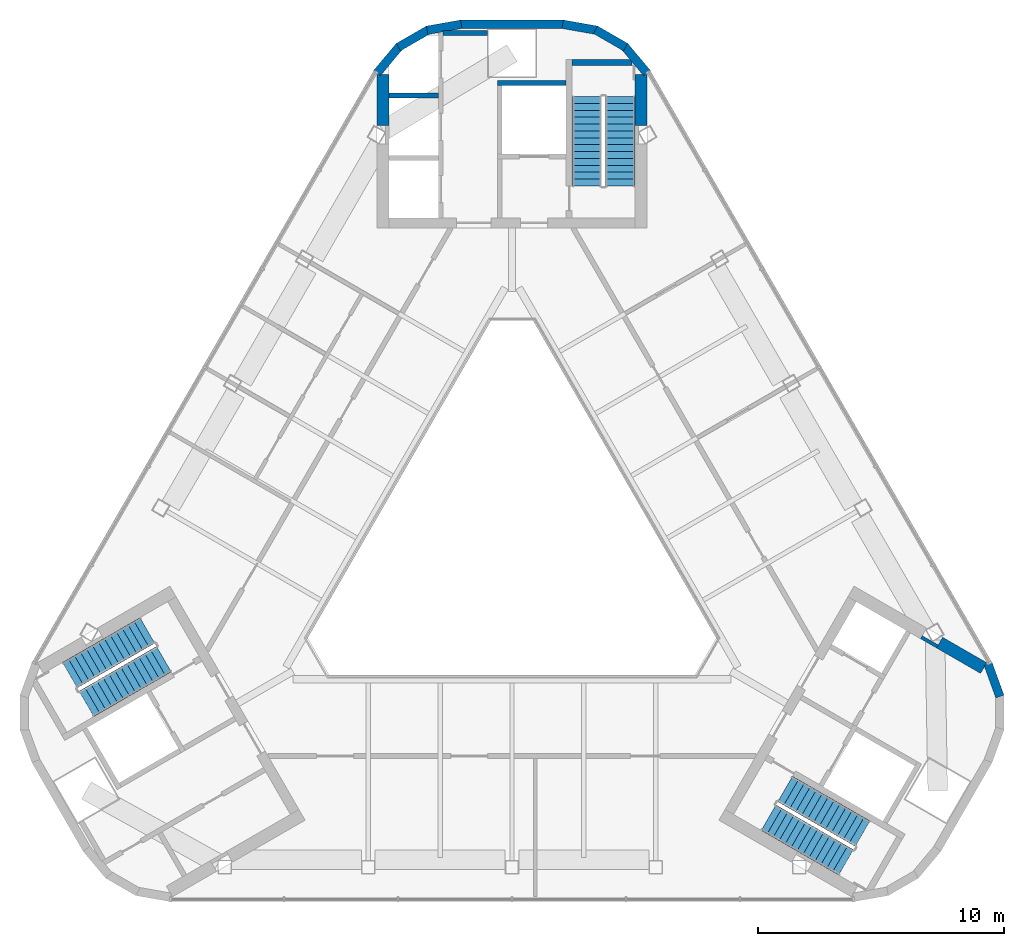
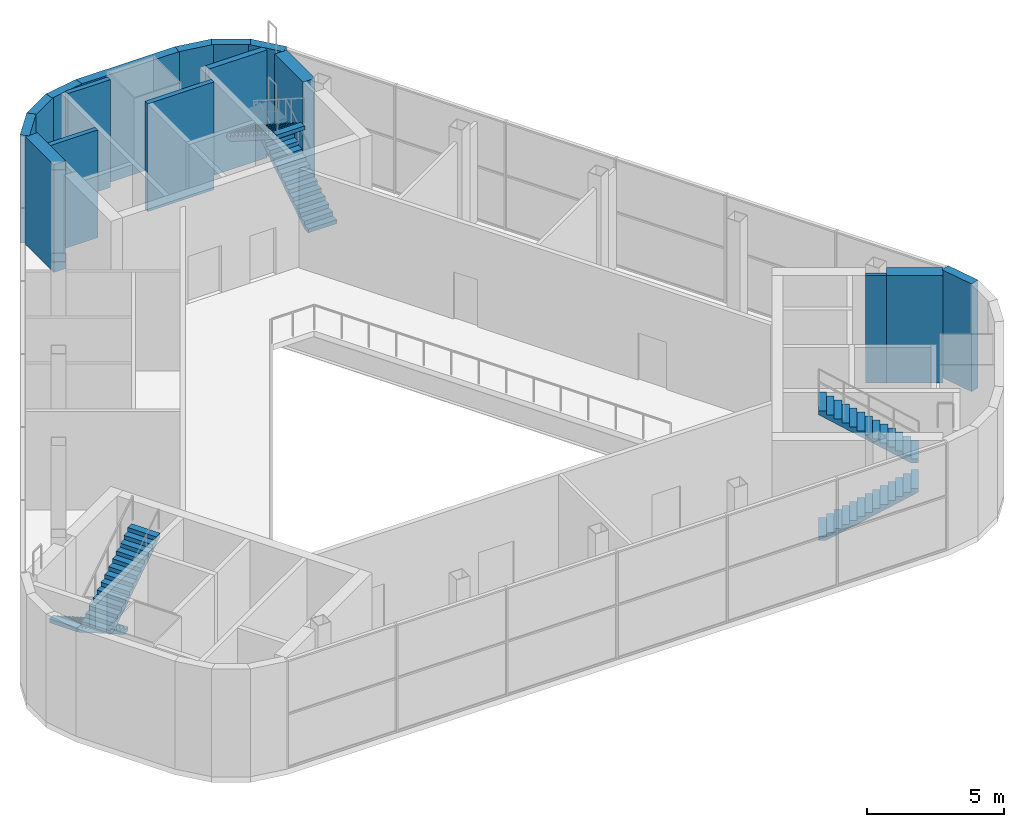
# One storey, part 8 of 11: 16 walls, 6 stair flights, 3 elements without a shape of their own.
"""IFC4 building model written with IfcOpenShell, lengths in metres."""

from ifc_helpers import new_model, si_unit, direction, frame, frame_2d, origin, place, context, subcontext, project, spatial, polyline, rectangle, outline, extrude, material, layer, layer_set, type_object, element, aggregate, save


model = new_model("IFC4")

# Units and contexts
model_context = context("Model", 3, precision=1e-05, world=origin(), true_north=direction((0.0, 1.0)))
body_context = subcontext(model_context, "Body", "Model", "MODEL_VIEW")
ifc_project = project(units=[si_unit("LENGTHUNIT", "METRE"), si_unit("AREAUNIT", "SQUARE_METRE"), si_unit("VOLUMEUNIT", "CUBIC_METRE"), si_unit("PLANEANGLEUNIT", "RADIAN"), si_unit("MASSUNIT", "GRAM", prefix="KILO")], contexts=[model_context])

# Site, building, storey
site_placement = place(None, origin())
site = spatial("IfcSite", under=ifc_project, at=site_placement, CompositionType="ELEMENT")
building_placement = place(site_placement, origin())
building = spatial("IfcBuilding", under=site, at=building_placement, Name="Apuvela Tower Hotel", CompositionType="ELEMENT")
storey_placement = place(building_placement, frame((0.0, 0.0, 338.300048828125)))
storey = spatial("IfcBuildingStorey", under=building, at=storey_placement, Name="L84", CompositionType="ELEMENT", Elevation=338.300048828125)

# Walls
ifc_material_1 = material(Name="Concrete C50/60", Category="concrete")
ifc_layer_1 = layer(ifc_material_1, 0.139892578125)
ifc_layer_set_1 = layer_set([ifc_layer_1], Name="COR-WALL-CORE-140")
wall_type_1 = type_object("IfcWallType", Name="COR-WALL-CORE-140", PredefinedType="SHEAR", material=ifc_layer_set_1)
wall_1_placement = place(storey_placement, frame((16.66259765625, -3.765869140625, 0.0), z_axis=(0.0, 0.0, 1.0), x_axis=(0.86603400694, -0.499985098601, 0.0)))
element("IfcWall", 1, at=wall_1_placement, inside=storey, type_object=wall_type_1, Name="Core wall SE", PredefinedType="SHEAR", context=body_context, shape_type="SweptSolid", body=[
    extrude(rectangle(XDim=0.7509765625, YDim=0.139892578125, at=frame_2d((0.37548828125, 0.0))), origin(), (0.0, 0.0, 1.0), 4.800048828125),
])
ifc_layer_2 = layer(ifc_material_1, 0.5)
ifc_layer_set_2 = layer_set([ifc_layer_2], Name="COR-WALL-CORE-500")
wall_type_2 = type_object("IfcWallType", Name="COR-WALL-CORE-500", PredefinedType="SHEAR", material=ifc_layer_set_2)
for number, where, z_axis, x_axis, name in (
    (2, (5.25, 17.064453125, 0.0), (0.0, 0.0, 1.0), (0.0, 1.0, 0.0), "Core wall N"),
    (3, (-5.25, 17.064453125, 0.0), (0.0, 0.0, 1.0), (0.0, 1.0, 0.0), "Core wall N"),
):
    element("IfcWall", number, at=place(storey_placement, frame(where, z_axis=z_axis, x_axis=x_axis)), inside=storey, type_object=wall_type_2, Name=name, PredefinedType="SHEAR", context=body_context, shape_type="SweptSolid", body=[
        extrude(rectangle(XDim=2.0712890625, YDim=0.5, at=frame_2d((1.03564453125, 0.0))), origin(), (0.0, 0.0, 1.0), 4.800048828125),
    ])
wall_2_placement = place(storey_placement, frame((17.403076171875, -3.985595703125, 0.0), z_axis=(0.0, 0.0, 1.0), x_axis=(0.866044274939, -0.499967312778, 0.0)))
element("IfcWall", 4, at=wall_2_placement, inside=storey, type_object=wall_type_2, Name="Core wall SE", PredefinedType="SHEAR", context=body_context, shape_type="SweptSolid", body=[
    extrude(rectangle(XDim=2.071533203125, YDim=0.5, at=frame_2d((1.03564453125, 0.0))), origin(), (0.0, 0.0, 1.0), 4.800048828125),
])
ifc_layer_3 = layer(ifc_material_1, 0.199951171875)
ifc_layer_set_3 = layer_set([ifc_layer_3], Name="COR-WALL-SHAFT-200")
wall_type_3 = type_object("IfcWallType", Name="COR-WALL-SHAFT-200", PredefinedType="SHEAR", material=ifc_layer_set_3)
wall_3_placement = place(storey_placement, frame((2.199951171875, 18.800048828125, 0.0), z_axis=(0.0, 0.0, 1.0), x_axis=(-1.0, 0.0, 0.0)))
element("IfcWall", 5, at=wall_3_placement, inside=storey, type_object=wall_type_3, Name="Shaft wall N", PredefinedType="SHEAR", context=body_context, shape_type="SweptSolid", body=[
    extrude(rectangle(XDim=2.800048828125, YDim=0.199951171875, at=frame_2d((1.39990234375, 0.0))), origin(), (0.0, 0.0, 1.0), 4.800048828125),
])
wall_4_placement = place(storey_placement, frame((-1.0, 20.820068359375, 0.0), z_axis=(0.0, 0.0, 1.0), x_axis=(-1.0, 0.0, 0.0)))
element("IfcWall", 6, at=wall_4_placement, inside=storey, type_object=wall_type_3, Name="Shaft wall N", PredefinedType="SHEAR", context=body_context, shape_type="SweptSolid", body=[
    extrude(rectangle(XDim=1.800048828125, YDim=0.199951171875, at=frame_2d((0.89990234375, 0.0))), origin(), (0.0, 0.0, 1.0), 4.800048828125),
])
wall_5_placement = place(storey_placement, frame((-3.0, 18.280029296875, 0.0), z_axis=(0.0, 0.0, 1.0), x_axis=(-1.0, 0.0, 0.0)))
element("IfcWall", 7, at=wall_5_placement, inside=storey, type_object=wall_type_3, Name="Shaft wall N", PredefinedType="SHEAR", context=body_context, shape_type="SweptSolid", body=[
    extrude(rectangle(XDim=2.0, YDim=0.199951171875, at=frame_2d((1.0, 0.0))), origin(), (0.0, 0.0, 1.0), 4.800048828125),
])
ifc_layer_4 = layer(ifc_material_1, 0.25)
ifc_layer_set_4 = layer_set([ifc_layer_4], Name="COR-WALL-STAIR-250")
wall_type_4 = type_object("IfcWallType", Name="COR-WALL-STAIR-250", PredefinedType="SHEAR", material=ifc_layer_set_4)
wall_6_placement = place(storey_placement, frame((4.8798828125, 19.625, 0.0), z_axis=(0.0, 0.0, 1.0), x_axis=(-1.0, 0.0, 0.0)))
element("IfcWall", 8, at=wall_6_placement, inside=storey, type_object=wall_type_4, Name="Stair wall N", PredefinedType="SHEAR", context=body_context, shape_type="SweptSolid", body=[
    extrude(rectangle(XDim=2.429931640625, YDim=0.25, at=frame_2d((1.21484375, 0.0))), origin(), (0.0, 0.0, 1.0), 4.800048828125),
])
ifc_material_2 = material(Name="Concrete C40/50, dark pigmented precast panel", Category="concrete")
ifc_layer_5 = layer(ifc_material_2, 0.35009765625)
ifc_layer_set_5 = layer_set([ifc_layer_5], Name="ENV-WALL-350")
wall_type_5 = type_object("IfcWallType", Name="ENV-WALL-350", PredefinedType="SOLIDWALL", material=ifc_layer_set_5)
for number, where, z_axis, x_axis, name in (
    (9, (4.6220703125, 20.252685546875, 0.0), (0.0, 0.0, 1.0), (-0.866013007135, 0.500021471012, 0.0), "External wall L84-01"),
    (10, (3.455078125, 20.938720703125, 0.0), (0.0, 0.0, 1.0), (-0.984820050623, 0.173578420006, 0.0), "External wall L84-02"),
):
    element("IfcWall", number, at=place(storey_placement, frame(where, z_axis=z_axis, x_axis=x_axis)), inside=storey, type_object=wall_type_5, Name=name, PredefinedType="SOLIDWALL", context=body_context, shape_type="SweptSolid", body=[
        extrude(rectangle(XDim=1.41357421875, YDim=0.35009765625, at=frame_2d((0.706787109375, 0.0))), origin(), (0.0, 0.0, 1.0), 4.800048828125),
    ])
wall_7_placement = place(storey_placement, frame((2.093505859375, 21.181396484375, 0.0), z_axis=(0.0, 0.0, 1.0), x_axis=(-1.0, 0.0, 0.0)))
element("IfcWall", 11, at=wall_7_placement, inside=storey, type_object=wall_type_5, Name="External wall L84-03", PredefinedType="SOLIDWALL", context=body_context, shape_type="SweptSolid", body=[
    extrude(rectangle(XDim=4.18701171875, YDim=0.35009765625, at=frame_2d((2.093505859375, 0.0))), origin(), (0.0, 0.0, 1.0), 4.800048828125),
])
for number, where, z_axis, x_axis, name in (
    (12, (-2.06298828125, 21.18408203125, 0.0), (0.0, 0.0, 1.0), (-0.984820050623, -0.173578420006, 0.0), "External wall L84-04"),
    (13, (-3.39794921875, 20.95947265625, 0.0), (0.0, 0.0, 1.0), (-0.866013007135, -0.500021471012, 0.0), "External wall L84-05"),
):
    element("IfcWall", number, at=place(storey_placement, frame(where, z_axis=z_axis, x_axis=x_axis)), inside=storey, type_object=wall_type_5, Name=name, PredefinedType="SOLIDWALL", context=body_context, shape_type="SweptSolid", body=[
        extrude(rectangle(XDim=1.41357421875, YDim=0.35009765625, at=frame_2d((0.706787109375, 0.0))), origin(), (0.0, 0.0, 1.0), 4.800048828125),
    ])
wall_8_placement = place(storey_placement, frame((-4.57568359375, 20.291748046875, 0.0), z_axis=(0.0, 0.0, 1.0), x_axis=(-0.642746366971, -0.766079047975, 0.0)))
element("IfcWall", 14, at=wall_8_placement, inside=storey, type_object=wall_type_5, Name="External wall L84-06", PredefinedType="SOLIDWALL", context=body_context, shape_type="SweptSolid", body=[
    extrude(rectangle(XDim=1.413330078125, YDim=0.35009765625, at=frame_2d((0.70654296875, 0.0))), origin(), (0.0, 0.0, 1.0), 4.800048828125),
])
wall_9_placement = place(storey_placement, frame((19.86083984375, -6.183349609375, 0.0), z_axis=(0.0, 0.0, 1.0), x_axis=(-0.341964928618, 0.939712715459, 0.0)))
element("IfcWall", 15, at=wall_9_placement, inside=storey, type_object=wall_type_5, Name="External wall L84-22", PredefinedType="SOLIDWALL", context=body_context, shape_type="SweptSolid", body=[
    extrude(rectangle(XDim=1.41357421875, YDim=0.35009765625, at=frame_2d((0.706787109375, 0.0))), origin(), (0.0, 0.0, 1.0), 4.800048828125),
])
wall_10_placement = place(storey_placement, frame((5.484130859375, 19.208984375, 0.0), z_axis=(0.0, 0.0, 1.0), x_axis=(-0.642746366971, 0.766079047975, 0.0)))
element("IfcWall", 16, at=wall_10_placement, inside=storey, type_object=wall_type_5, Name="External wall L84-24", PredefinedType="SOLIDWALL", context=body_context, shape_type="SweptSolid", body=[
    extrude(rectangle(XDim=1.413330078125, YDim=0.35009765625, at=frame_2d((0.70654296875, 0.0))), origin(), (0.0, 0.0, 1.0), 4.800048828125),
])

# Stair, stair flights
stair_type = type_object("IfcStairType", Name="COR-STAIR-28R", PredefinedType="HALF_TURN_STAIR", material=ifc_material_1)
stair_1_placement = place(storey_placement, origin())
stair_1 = element("IfcStair", 17, at=stair_1_placement, inside=storey, type_object=stair_type, Name="L84 Exit stair ST1", PredefinedType="HALF_TURN_STAIR")
stair_flight_type = type_object("IfcStairFlightType", Name="COR-FLIGHT-14R", PredefinedType="STRAIGHT", material=ifc_material_1)
stair_flight_1_placement = place(storey_placement, frame((4.39990234375, 14.60009765625, 0.0), z_axis=(0.0, 0.0, 1.0), x_axis=(0.0, 1.0, 0.0)))
stair_flight_1 = element("IfcStairFlight", 18, at=stair_flight_1_placement, type_object=stair_flight_type, Name="ST1 flight 1", NumberOfRisers=14, NumberOfTreads=13, PredefinedType="STRAIGHT", RiserHeight=0.178571429, TreadLength=0.28, context=body_context, shape_type="SweptSolid", body=[
    extrude(outline(polyline([(0.0, 0.0), (0.0, 0.178466796875), (0.280029296875, 0.178466796875), (0.280029296875, 0.357177734375), (0.56005859375, 0.357177734375), (0.56005859375, 0.53564453125), (0.840087890625, 0.53564453125), (0.840087890625, 0.71435546875), (1.1201171875, 0.71435546875), (1.1201171875, 0.892822265625), (1.39990234375, 0.892822265625), (1.39990234375, 1.071533203125), (1.679931640625, 1.071533203125), (1.679931640625, 1.25), (1.9599609375, 1.25), (1.9599609375, 1.428466796875), (2.239990234375, 1.428466796875), (2.239990234375, 1.607177734375), (2.52001953125, 1.607177734375), (2.52001953125, 1.78564453125), (2.800048828125, 1.78564453125), (2.800048828125, 1.96435546875), (3.080078125, 1.96435546875), (3.080078125, 2.142822265625), (3.360107421875, 2.142822265625), (3.360107421875, 2.321533203125), (3.639892578125, 2.321533203125), (3.639892578125, 2.5), (3.639892578125, 2.1435546875), (0.27880859375, 0.0), (0.0, 0.0)])), frame((0.0, 0.60009765625, 0.0), z_axis=(0.0, -1.0, 0.0), x_axis=(1.0, 0.0, 0.0)), (0.0, 0.0, 1.0), 1.199951171875),
])
stair_flight_2_placement = place(storey_placement, frame((3.050048828125, 18.239990234375, 2.5), z_axis=(0.0, 0.0, 1.0), x_axis=(0.0, -1.0, 0.0)))
stair_flight_2 = element("IfcStairFlight", 19, at=stair_flight_2_placement, type_object=stair_flight_type, Name="ST1 flight 2", NumberOfRisers=14, NumberOfTreads=13, PredefinedType="STRAIGHT", RiserHeight=0.178571429, TreadLength=0.28, context=body_context, shape_type="SweptSolid", body=[
    extrude(outline(polyline([(0.0, 0.0), (0.0, 0.178466796875), (0.280029296875, 0.178466796875), (0.280029296875, 0.357177734375), (0.56005859375, 0.357177734375), (0.56005859375, 0.53564453125), (0.840087890625, 0.53564453125), (0.840087890625, 0.71435546875), (1.1201171875, 0.71435546875), (1.1201171875, 0.892822265625), (1.39990234375, 0.892822265625), (1.39990234375, 1.071533203125), (1.679931640625, 1.071533203125), (1.679931640625, 1.25), (1.9599609375, 1.25), (1.9599609375, 1.428466796875), (2.239990234375, 1.428466796875), (2.239990234375, 1.607177734375), (2.52001953125, 1.607177734375), (2.52001953125, 1.78564453125), (2.800048828125, 1.78564453125), (2.800048828125, 1.96435546875), (3.080078125, 1.96435546875), (3.080078125, 2.142822265625), (3.360107421875, 2.142822265625), (3.360107421875, 2.321533203125), (3.639892578125, 2.321533203125), (3.639892578125, 2.5), (3.639892578125, 2.1435546875), (0.27880859375, 0.0), (0.0, 0.0)])), frame((0.0, 0.60009765625, 0.0), z_axis=(0.0, -1.0, 0.0), x_axis=(1.0, 0.0, 0.0)), (0.0, 0.0, 1.0), 1.199951171875),
])
aggregate(stair_1, [stair_flight_1, stair_flight_2])

stair_2_placement = place(storey_placement, origin())
stair_2 = element("IfcStair", 20, at=stair_2_placement, inside=storey, type_object=stair_type, Name="L84 Exit stair ST2", PredefinedType="HALF_TURN_STAIR")
stair_flight_3_placement = place(storey_placement, frame((-14.843994140625, -3.489501953125, 0.0), z_axis=(0.0, 0.0, 1.0), x_axis=(-0.866025403784, -0.5, 0.0)))
stair_flight_3 = element("IfcStairFlight", 21, at=stair_flight_3_placement, type_object=stair_flight_type, Name="ST2 flight 1", NumberOfRisers=14, NumberOfTreads=13, PredefinedType="STRAIGHT", RiserHeight=0.178571429, TreadLength=0.28, context=body_context, shape_type="SweptSolid", body=[
    extrude(outline(polyline([(0.0, 0.0), (0.0, 0.178466796875), (0.280029296875, 0.178466796875), (0.280029296875, 0.357177734375), (0.56005859375, 0.357177734375), (0.56005859375, 0.53564453125), (0.840087890625, 0.53564453125), (0.840087890625, 0.71435546875), (1.1201171875, 0.71435546875), (1.1201171875, 0.892822265625), (1.39990234375, 0.892822265625), (1.39990234375, 1.071533203125), (1.679931640625, 1.071533203125), (1.679931640625, 1.25), (1.9599609375, 1.25), (1.9599609375, 1.428466796875), (2.239990234375, 1.428466796875), (2.239990234375, 1.607177734375), (2.52001953125, 1.607177734375), (2.52001953125, 1.78564453125), (2.800048828125, 1.78564453125), (2.800048828125, 1.96435546875), (3.080078125, 1.96435546875), (3.080078125, 2.142822265625), (3.360107421875, 2.142822265625), (3.360107421875, 2.321533203125), (3.639892578125, 2.321533203125), (3.639892578125, 2.5), (3.639892578125, 2.1435546875), (0.27880859375, 0.0), (0.0, 0.0)])), frame((0.0, 0.60009765625, 0.0), z_axis=(0.0, -1.0, 0.0), x_axis=(1.0, 0.0, 0.0)), (0.0, 0.0, 1.0), 1.199951171875),
])
stair_flight_4_placement = place(storey_placement, frame((-17.3212890625, -6.478515625, 2.5), z_axis=(0.0, 0.0, 1.0), x_axis=(0.866025403784, 0.5, 0.0)))
stair_flight_4 = element("IfcStairFlight", 22, at=stair_flight_4_placement, type_object=stair_flight_type, Name="ST2 flight 2", NumberOfRisers=14, NumberOfTreads=13, PredefinedType="STRAIGHT", RiserHeight=0.178571429, TreadLength=0.28, context=body_context, shape_type="SweptSolid", body=[
    extrude(outline(polyline([(0.0, 0.0), (0.0, 0.178466796875), (0.280029296875, 0.178466796875), (0.280029296875, 0.357177734375), (0.56005859375, 0.357177734375), (0.56005859375, 0.53564453125), (0.840087890625, 0.53564453125), (0.840087890625, 0.71435546875), (1.1201171875, 0.71435546875), (1.1201171875, 0.892822265625), (1.39990234375, 0.892822265625), (1.39990234375, 1.071533203125), (1.679931640625, 1.071533203125), (1.679931640625, 1.25), (1.9599609375, 1.25), (1.9599609375, 1.428466796875), (2.239990234375, 1.428466796875), (2.239990234375, 1.607177734375), (2.52001953125, 1.607177734375), (2.52001953125, 1.78564453125), (2.800048828125, 1.78564453125), (2.800048828125, 1.96435546875), (3.080078125, 1.96435546875), (3.080078125, 2.142822265625), (3.360107421875, 2.142822265625), (3.360107421875, 2.321533203125), (3.639892578125, 2.321533203125), (3.639892578125, 2.5), (3.639892578125, 2.1435546875), (0.27880859375, 0.0), (0.0, 0.0)])), frame((0.0, 0.60009765625, 0.0), z_axis=(0.0, -1.0, 0.0), x_axis=(1.0, 0.0, 0.0)), (0.0, 0.0, 1.0), 1.199951171875),
])
aggregate(stair_2, [stair_flight_3, stair_flight_4])

stair_3_placement = place(storey_placement, origin())
stair_3 = element("IfcStair", 23, at=stair_3_placement, inside=storey, type_object=stair_type, Name="L84 Exit stair ST3", PredefinedType="HALF_TURN_STAIR")
stair_flight_5_placement = place(storey_placement, frame((10.444091796875, -11.110595703125, 0.0), z_axis=(0.0, 0.0, 1.0), x_axis=(0.866025403784, -0.5, 0.0)))
stair_flight_5 = element("IfcStairFlight", 24, at=stair_flight_5_placement, type_object=stair_flight_type, Name="ST3 flight 1", NumberOfRisers=14, NumberOfTreads=13, PredefinedType="STRAIGHT", RiserHeight=0.178571429, TreadLength=0.28, context=body_context, shape_type="SweptSolid", body=[
    extrude(outline(polyline([(0.0, 0.0), (0.0, 0.178466796875), (0.280029296875, 0.178466796875), (0.280029296875, 0.357177734375), (0.56005859375, 0.357177734375), (0.56005859375, 0.53564453125), (0.840087890625, 0.53564453125), (0.840087890625, 0.71435546875), (1.1201171875, 0.71435546875), (1.1201171875, 0.892822265625), (1.39990234375, 0.892822265625), (1.39990234375, 1.071533203125), (1.679931640625, 1.071533203125), (1.679931640625, 1.25), (1.9599609375, 1.25), (1.9599609375, 1.428466796875), (2.239990234375, 1.428466796875), (2.239990234375, 1.607177734375), (2.52001953125, 1.607177734375), (2.52001953125, 1.78564453125), (2.800048828125, 1.78564453125), (2.800048828125, 1.96435546875), (3.080078125, 1.96435546875), (3.080078125, 2.142822265625), (3.360107421875, 2.142822265625), (3.360107421875, 2.321533203125), (3.639892578125, 2.321533203125), (3.639892578125, 2.5), (3.639892578125, 2.1435546875), (0.27880859375, 0.0), (0.0, 0.0)])), frame((0.0, 0.60009765625, 0.0), z_axis=(0.0, -1.0, 0.0), x_axis=(1.0, 0.0, 0.0)), (0.0, 0.0, 1.0), 1.199951171875),
])
stair_flight_6_placement = place(storey_placement, frame((14.271240234375, -11.761474609375, 2.5), z_axis=(0.0, 0.0, 1.0), x_axis=(-0.866025403784, 0.5, 0.0)))
stair_flight_6 = element("IfcStairFlight", 25, at=stair_flight_6_placement, type_object=stair_flight_type, Name="ST3 flight 2", NumberOfRisers=14, NumberOfTreads=13, PredefinedType="STRAIGHT", RiserHeight=0.178571429, TreadLength=0.28, context=body_context, shape_type="SweptSolid", body=[
    extrude(outline(polyline([(0.0, 0.0), (0.0, 0.178466796875), (0.280029296875, 0.178466796875), (0.280029296875, 0.357177734375), (0.56005859375, 0.357177734375), (0.56005859375, 0.53564453125), (0.840087890625, 0.53564453125), (0.840087890625, 0.71435546875), (1.1201171875, 0.71435546875), (1.1201171875, 0.892822265625), (1.39990234375, 0.892822265625), (1.39990234375, 1.071533203125), (1.679931640625, 1.071533203125), (1.679931640625, 1.25), (1.9599609375, 1.25), (1.9599609375, 1.428466796875), (2.239990234375, 1.428466796875), (2.239990234375, 1.607177734375), (2.52001953125, 1.607177734375), (2.52001953125, 1.78564453125), (2.800048828125, 1.78564453125), (2.800048828125, 1.96435546875), (3.080078125, 1.96435546875), (3.080078125, 2.142822265625), (3.360107421875, 2.142822265625), (3.360107421875, 2.321533203125), (3.639892578125, 2.321533203125), (3.639892578125, 2.5), (3.639892578125, 2.1435546875), (0.27880859375, 0.0), (0.0, 0.0)])), frame((0.0, 0.60009765625, 0.0), z_axis=(0.0, -1.0, 0.0), x_axis=(1.0, 0.0, 0.0)), (0.0, 0.0, 1.0), 1.199951171875),
])
aggregate(stair_3, [stair_flight_5, stair_flight_6])

save(model, "model.ifc")
